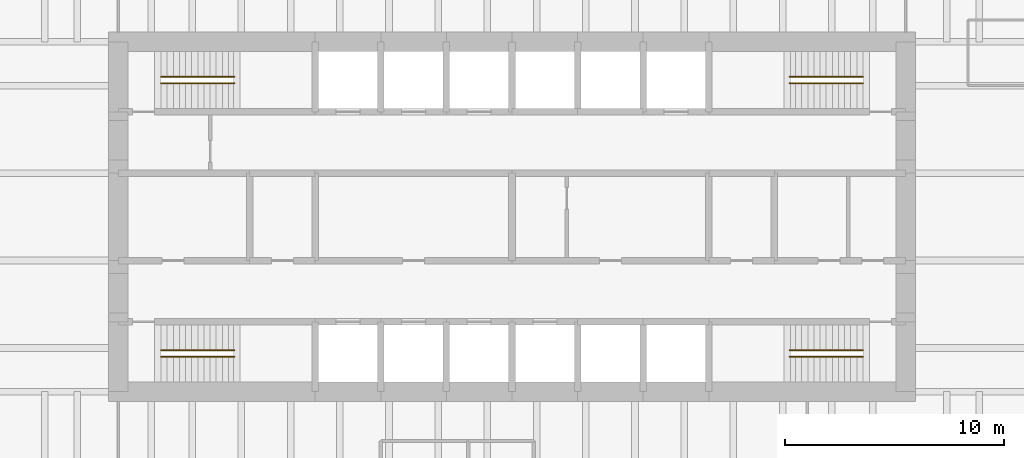
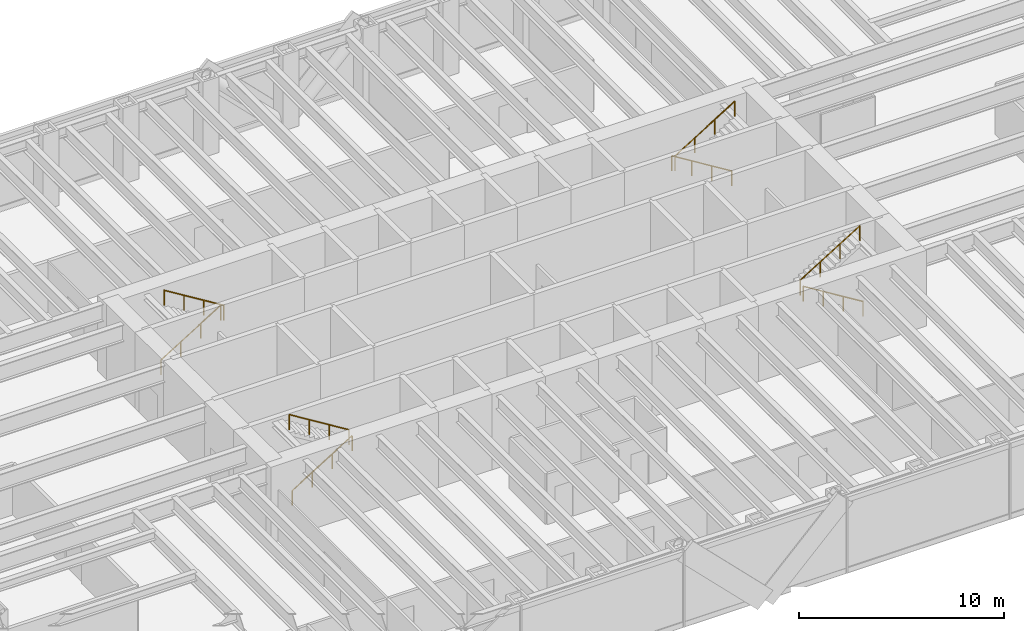
# One storey, part 13 of 13: 8 railings.
"""IFC4 building model written with IfcOpenShell, lengths in metres."""

from ifc_helpers import new_model, si_unit, direction, frame, origin, origin_2d, place, context, subcontext, project, spatial, circle, extrude, material, type_object, element, save


model = new_model("IFC4")

# Units and contexts
model_context = context("Model", 3, precision=1e-05, world=origin(), true_north=direction((0.0, 1.0)))
body_context = subcontext(model_context, "Body", "Model", "MODEL_VIEW")
ifc_project = project(units=[si_unit("LENGTHUNIT", "METRE"), si_unit("AREAUNIT", "SQUARE_METRE"), si_unit("VOLUMEUNIT", "CUBIC_METRE"), si_unit("PLANEANGLEUNIT", "RADIAN"), si_unit("MASSUNIT", "GRAM", prefix="KILO")], contexts=[model_context])

# Site, building, storey
site_placement = place(None, origin())
site = spatial("IfcSite", under=ifc_project, at=site_placement, CompositionType="ELEMENT")
building_placement = place(site_placement, origin())
building = spatial("IfcBuilding", under=site, at=building_placement, Name="Rheinbord Bourse Tower", CompositionType="ELEMENT")
storey_placement = place(building_placement, frame((0.0, 0.0, 63.5)))
storey = spatial("IfcBuildingStorey", under=building, at=storey_placement, Name="L13", CompositionType="ELEMENT", Elevation=63.5)

# Railings
ifc_material = material(Name="Steel handrail", Category="steel")
railing_type = type_object("IfcRailingType", Name="HANDRAIL 900", PredefinedType="HANDRAIL", material=ifc_material)
railing_1_placement = place(storey_placement, frame((19.949951171875, 17.60009765625, 0.173095703125)))
element("IfcRailing", 1, at=railing_1_placement, inside=storey, type_object=railing_type, Name="Handrail", PredefinedType="HANDRAIL", context=body_context, shape_type="SweptSolid", body=[
    extrude(circle(Radius=0.02392578125, at=origin_2d()), frame((0.0, 0.0, 0.8759765625), z_axis=(0.850623216509, 0.0, 0.525775754039), x_axis=(0.0, 1.0, 0.0)), (0.0, 0.0, 1.0), 3.9501953125),
    extrude(circle(Radius=0.02099609375, at=origin_2d()), origin(), (0.0, 0.0, 1.0), 0.851806640625),
    extrude(circle(Radius=0.02099609375, at=origin_2d()), frame((1.1201171875, 0.0, 0.6923828125)), (0.0, 0.0, 1.0), 0.851806640625),
    extrude(circle(Radius=0.02099609375, at=origin_2d()), frame((2.239990234375, 0.0, 1.384521484375)), (0.0, 0.0, 1.0), 0.851806640625),
    extrude(circle(Radius=0.02099609375, at=origin_2d()), frame((3.360107421875, 0.0, 2.076904296875)), (0.0, 0.0, 1.0), 0.851806640625),
])
railing_2_placement = place(storey_placement, frame((23.31005859375, 17.89990234375, 2.423095703125)))
element("IfcRailing", 2, at=railing_2_placement, inside=storey, type_object=railing_type, Name="Handrail", PredefinedType="HANDRAIL", context=body_context, shape_type="SweptSolid", body=[
    extrude(circle(Radius=0.02392578125, at=origin_2d()), frame((0.0, 0.0, 0.8759765625), z_axis=(-0.850623216509, 0.0, 0.525775754039), x_axis=(0.0, -1.0, 0.0)), (0.0, 0.0, 1.0), 3.9501953125),
    extrude(circle(Radius=0.02099609375, at=origin_2d()), origin(), (0.0, 0.0, 1.0), 0.851806640625),
    extrude(circle(Radius=0.02099609375, at=origin_2d()), frame((-1.1201171875, 0.0, 0.6923828125)), (0.0, 0.0, 1.0), 0.851806640625),
    extrude(circle(Radius=0.02099609375, at=origin_2d()), frame((-2.239990234375, 0.0, 1.384521484375)), (0.0, 0.0, 1.0), 0.851806640625),
    extrude(circle(Radius=0.02099609375, at=origin_2d()), frame((-3.360107421875, 0.0, 2.076904296875)), (0.0, 0.0, 1.0), 0.851806640625),
])
railing_3_placement = place(storey_placement, frame((19.949951171875, 30.39990234375, 0.173095703125)))
element("IfcRailing", 3, at=railing_3_placement, inside=storey, type_object=railing_type, Name="Handrail", PredefinedType="HANDRAIL", context=body_context, shape_type="SweptSolid", body=[
    extrude(circle(Radius=0.02392578125, at=origin_2d()), frame((0.0, 0.0, 0.8759765625), z_axis=(0.850623216509, 0.0, 0.525775754039), x_axis=(0.0, 1.0, 0.0)), (0.0, 0.0, 1.0), 3.9501953125),
    extrude(circle(Radius=0.02099609375, at=origin_2d()), origin(), (0.0, 0.0, 1.0), 0.851806640625),
    extrude(circle(Radius=0.02099609375, at=origin_2d()), frame((1.1201171875, 0.0, 0.6923828125)), (0.0, 0.0, 1.0), 0.851806640625),
    extrude(circle(Radius=0.02099609375, at=origin_2d()), frame((2.239990234375, 0.0, 1.384521484375)), (0.0, 0.0, 1.0), 0.851806640625),
    extrude(circle(Radius=0.02099609375, at=origin_2d()), frame((3.360107421875, 0.0, 2.076904296875)), (0.0, 0.0, 1.0), 0.851806640625),
])
for number, where, name in (
    (4, (23.31005859375, 30.10009765625, 2.423095703125), "Handrail"),
    (5, (52.050048828125, 17.60009765625, 0.173095703125), "Handrail"),
):
    element("IfcRailing", number, at=place(storey_placement, frame(where)), inside=storey, type_object=railing_type, Name=name, PredefinedType="HANDRAIL", context=body_context, shape_type="SweptSolid", body=[
        extrude(circle(Radius=0.02392578125, at=origin_2d()), frame((0.0, 0.0, 0.8759765625), z_axis=(-0.850623216509, 0.0, 0.525775754039), x_axis=(0.0, -1.0, 0.0)), (0.0, 0.0, 1.0), 3.9501953125),
        extrude(circle(Radius=0.02099609375, at=origin_2d()), origin(), (0.0, 0.0, 1.0), 0.851806640625),
        extrude(circle(Radius=0.02099609375, at=origin_2d()), frame((-1.1201171875, 0.0, 0.6923828125)), (0.0, 0.0, 1.0), 0.851806640625),
        extrude(circle(Radius=0.02099609375, at=origin_2d()), frame((-2.239990234375, 0.0, 1.384521484375)), (0.0, 0.0, 1.0), 0.851806640625),
        extrude(circle(Radius=0.02099609375, at=origin_2d()), frame((-3.360107421875, 0.0, 2.076904296875)), (0.0, 0.0, 1.0), 0.851806640625),
    ])
railing_4_placement = place(storey_placement, frame((48.68994140625, 17.89990234375, 2.423095703125)))
element("IfcRailing", 6, at=railing_4_placement, inside=storey, type_object=railing_type, Name="Handrail", PredefinedType="HANDRAIL", context=body_context, shape_type="SweptSolid", body=[
    extrude(circle(Radius=0.02392578125, at=origin_2d()), frame((0.0, 0.0, 0.8759765625), z_axis=(0.850623216509, 0.0, 0.525775754039), x_axis=(0.0, 1.0, 0.0)), (0.0, 0.0, 1.0), 3.9501953125),
    extrude(circle(Radius=0.02099609375, at=origin_2d()), origin(), (0.0, 0.0, 1.0), 0.851806640625),
    extrude(circle(Radius=0.02099609375, at=origin_2d()), frame((1.1201171875, 0.0, 0.6923828125)), (0.0, 0.0, 1.0), 0.851806640625),
    extrude(circle(Radius=0.02099609375, at=origin_2d()), frame((2.239990234375, 0.0, 1.384521484375)), (0.0, 0.0, 1.0), 0.851806640625),
    extrude(circle(Radius=0.02099609375, at=origin_2d()), frame((3.360107421875, 0.0, 2.076904296875)), (0.0, 0.0, 1.0), 0.851806640625),
])
railing_5_placement = place(storey_placement, frame((52.050048828125, 30.39990234375, 0.173095703125)))
element("IfcRailing", 7, at=railing_5_placement, inside=storey, type_object=railing_type, Name="Handrail", PredefinedType="HANDRAIL", context=body_context, shape_type="SweptSolid", body=[
    extrude(circle(Radius=0.02392578125, at=origin_2d()), frame((0.0, 0.0, 0.8759765625), z_axis=(-0.850623216509, 0.0, 0.525775754039), x_axis=(0.0, -1.0, 0.0)), (0.0, 0.0, 1.0), 3.9501953125),
    extrude(circle(Radius=0.02099609375, at=origin_2d()), origin(), (0.0, 0.0, 1.0), 0.851806640625),
    extrude(circle(Radius=0.02099609375, at=origin_2d()), frame((-1.1201171875, 0.0, 0.6923828125)), (0.0, 0.0, 1.0), 0.851806640625),
    extrude(circle(Radius=0.02099609375, at=origin_2d()), frame((-2.239990234375, 0.0, 1.384521484375)), (0.0, 0.0, 1.0), 0.851806640625),
    extrude(circle(Radius=0.02099609375, at=origin_2d()), frame((-3.360107421875, 0.0, 2.076904296875)), (0.0, 0.0, 1.0), 0.851806640625),
])
railing_6_placement = place(storey_placement, frame((48.68994140625, 30.10009765625, 2.423095703125)))
element("IfcRailing", 8, at=railing_6_placement, inside=storey, type_object=railing_type, Name="Handrail", PredefinedType="HANDRAIL", context=body_context, shape_type="SweptSolid", body=[
    extrude(circle(Radius=0.02392578125, at=origin_2d()), frame((0.0, 0.0, 0.8759765625), z_axis=(0.850623216509, 0.0, 0.525775754039), x_axis=(0.0, 1.0, 0.0)), (0.0, 0.0, 1.0), 3.9501953125),
    extrude(circle(Radius=0.02099609375, at=origin_2d()), origin(), (0.0, 0.0, 1.0), 0.851806640625),
    extrude(circle(Radius=0.02099609375, at=origin_2d()), frame((1.1201171875, 0.0, 0.6923828125)), (0.0, 0.0, 1.0), 0.851806640625),
    extrude(circle(Radius=0.02099609375, at=origin_2d()), frame((2.239990234375, 0.0, 1.384521484375)), (0.0, 0.0, 1.0), 0.851806640625),
    extrude(circle(Radius=0.02099609375, at=origin_2d()), frame((3.360107421875, 0.0, 2.076904296875)), (0.0, 0.0, 1.0), 0.851806640625),
])

save(model, "model.ifc")
